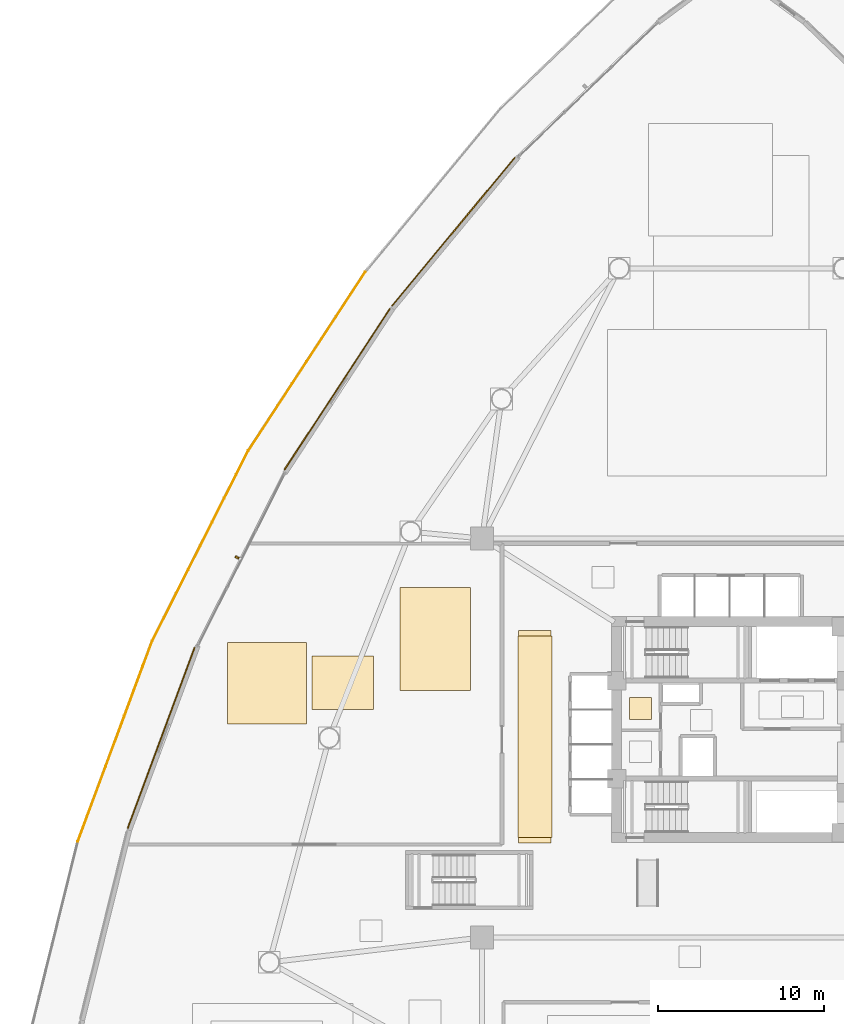
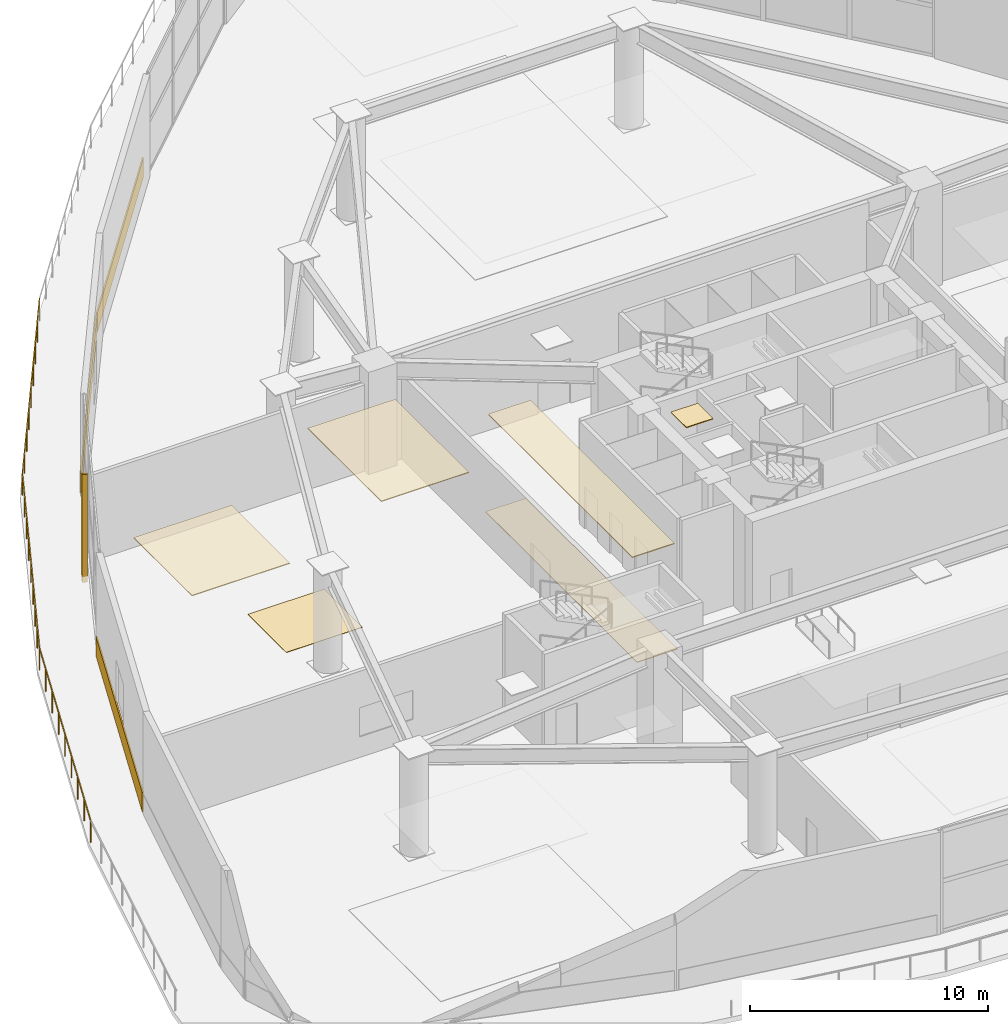
# One storey, part 21 of 26: 9 coverings, 3 railings, 1 shading device.
"""IFC4 building model written with IfcOpenShell, lengths in metres."""

from ifc_helpers import new_model, si_unit, direction, frame, origin, origin_2d, place, context, subcontext, project, spatial, polyline, rectangle, outline, extrude, source, transform, mapped, material, layer, layer_set, type_object, type_shapes, element, save


model = new_model("IFC4")

# Units and contexts
model_context = context("Model", 3, precision=1e-05, world=origin(), true_north=direction((0.0, 1.0)))
body_context = subcontext(model_context, "Body", "Model", "MODEL_VIEW")
ifc_project = project(units=[si_unit("LENGTHUNIT", "METRE"), si_unit("AREAUNIT", "SQUARE_METRE"), si_unit("VOLUMEUNIT", "CUBIC_METRE"), si_unit("PLANEANGLEUNIT", "RADIAN"), si_unit("MASSUNIT", "GRAM", prefix="KILO")], contexts=[model_context])

# Site, building, storey
site_placement = place(None, origin())
site = spatial("IfcSite", under=ifc_project, at=site_placement, CompositionType="ELEMENT")
building_placement = place(site_placement, origin())
building = spatial("IfcBuilding", under=site, at=building_placement, Name="Tavelor Broadcast Tower", CompositionType="ELEMENT")
storey_placement = place(building_placement, frame((0.0, 0.0, 5.800048828125)))
storey = spatial("IfcBuildingStorey", under=building, at=storey_placement, Name="L01", CompositionType="ELEMENT", Elevation=5.800048828125)

# Coverings
ifc_material_1 = material(Name="Copper-Bronze Anodized Aluminium", Category="aluminium")
ifc_layer_1 = layer(ifc_material_1, 0.044921875)
ifc_layer_set_1 = layer_set([ifc_layer_1], Name="Copper-Bronze Anodized Aluminium")
covering_type_1 = type_object("IfcCoveringType", Name="Anodised Bronze Linear Slatted Concourse Ceiling 45 mm", PredefinedType="CEILING", material=ifc_layer_set_1)
covering_1_placement = place(storey_placement, frame((0.0, 0.0, 5.204833984375)))
element("IfcCovering", 1, at=covering_1_placement, inside=storey, type_object=covering_type_1, Name="L01 Suspended Acoustic Ceiling 0034", PredefinedType="CEILING", context=body_context, shape_type="SweptSolid", body=[
    extrude(outline(polyline([(37.1484375, 38.51025390625), (39.201416015625, 38.51025390625), (39.201416015625, 50.639892578125), (37.1484375, 50.639892578125), (37.1484375, 38.51025390625)])), origin(), (0.0, 0.0, 1.0), 0.045166015625),
])
ifc_material_2 = material(Name="Acoustic Nylon Carpet Tile")
ifc_layer_2 = layer(ifc_material_2, 0.02001953125)
ifc_layer_set_2 = layer_set([ifc_layer_2], Name="Acoustic Nylon Carpet Tile")
covering_type_2 = type_object("IfcCoveringType", Name="Heavy-Duty Acoustic Broadcast Carpet Tile 20 mm", PredefinedType="FLOORING", material=ifc_layer_set_2)
covering_2_placement = place(storey_placement, origin())
element("IfcCovering", 2, at=covering_2_placement, inside=storey, type_object=covering_type_2, Name="L01 Broadcast Floor Finish 0019", PredefinedType="FLOORING", context=body_context, shape_type="SweptSolid", body=[
    extrude(outline(polyline([(24.770751953125, 46.20947265625), (28.479736328125, 46.20947265625), (28.479736328125, 49.43896484375), (24.770751953125, 49.43896484375), (24.770751953125, 46.20947265625)])), origin(), (0.0, 0.0, 1.0), 0.02001953125),
])
ifc_material_3 = material(Name="Honed Natural Limestone Tile", Category="masonry")
ifc_layer_3 = layer(ifc_material_3, 0.030029296875)
ifc_layer_set_3 = layer_set([ifc_layer_3], Name="Honed Natural Limestone Tile")
covering_type_3 = type_object("IfcCoveringType", Name="Honed Jerusalem Limestone Concourse Flooring 30 mm", PredefinedType="FLOORING", material=ifc_layer_set_3)
covering_3_placement = place(storey_placement, origin())
element("IfcCovering", 3, at=covering_3_placement, inside=storey, type_object=covering_type_3, Name="L01 Broadcast Floor Finish 0014", PredefinedType="FLOORING", context=body_context, shape_type="SweptSolid", body=[
    extrude(outline(polyline([(37.193359375, 38.189208984375), (39.15673828125, 38.189208984375), (39.15673828125, 50.960693359375), (37.193359375, 50.960693359375), (37.193359375, 38.189208984375)])), origin(), (0.0, 0.0, 1.0), 0.030029296875),
])

# Railings
ifc_material_4 = material(Name="Steel S355", Category="steel")
railing_type = type_object("IfcRailingType", Name="Planted Terrace Laminated Glass Balustrade 1150 mm", PredefinedType="BALUSTRADE", material=ifc_material_4)
railing_1_placement = place(storey_placement, frame((27.9716796875, 72.53125, 0.0)))
element("IfcRailing", 4, at=railing_1_placement, inside=storey, type_object=railing_type, Name="L01 Cascading Garden Terrace 1 Balustrade #10", PredefinedType="BALUSTRADE", context=body_context, shape_type="SweptSolid", body=[
    extrude(rectangle(XDim=0.048095703125, YDim=0.048095703125, at=origin_2d()), frame((0.0, 0.0, 1.1259765625), z_axis=(-0.547791163863, -0.836615109112, 0.0), x_axis=(0.836615109112, -0.547791163863, 0.0)), (0.0, 0.0, 1.0), 12.854248046875),
    extrude(rectangle(XDim=0.0419921875, YDim=0.0419921875, at=origin_2d()), origin(), (0.0, 0.0, 1.0), 1.101806640625),
    extrude(rectangle(XDim=0.0419921875, YDim=0.0419921875, at=origin_2d()), frame((-0.880126953125, -1.34423828125, 0.0)), (0.0, 0.0, 1.0), 1.101806640625),
    extrude(rectangle(XDim=0.0419921875, YDim=0.0419921875, at=origin_2d()), frame((-1.76025390625, -2.6884765625, 0.0)), (0.0, 0.0, 1.0), 1.101806640625),
    extrude(rectangle(XDim=0.0419921875, YDim=0.0419921875, at=origin_2d()), frame((-2.640625, -4.03271484375, 0.0)), (0.0, 0.0, 1.0), 1.101806640625),
    extrude(rectangle(XDim=0.0419921875, YDim=0.0419921875, at=origin_2d()), frame((-3.520751953125, -5.376953125, 0.0)), (0.0, 0.0, 1.0), 1.101806640625),
    extrude(rectangle(XDim=0.0419921875, YDim=0.0419921875, at=origin_2d()), frame((-4.40087890625, -6.721435546875, 0.0)), (0.0, 0.0, 1.0), 1.101806640625),
    extrude(rectangle(XDim=0.0419921875, YDim=0.0419921875, at=origin_2d()), frame((-5.28125, -8.065673828125, 0.0)), (0.0, 0.0, 1.0), 1.101806640625),
    extrude(rectangle(XDim=0.0419921875, YDim=0.0419921875, at=origin_2d()), frame((-6.161376953125, -9.409912109375, 0.0)), (0.0, 0.0, 1.0), 1.101806640625),
    extrude(rectangle(XDim=0.0419921875, YDim=0.0419921875, at=origin_2d()), frame((-7.04150390625, -10.754150390625, 0.0)), (0.0, 0.0, 1.0), 1.101806640625),
])
railing_2_placement = place(storey_placement, frame((20.935791015625, 61.78662109375, 0.0)))
element("IfcRailing", 5, at=railing_2_placement, inside=storey, type_object=railing_type, Name="L01 Cascading Garden Terrace 1 Balustrade #11", PredefinedType="BALUSTRADE", context=body_context, shape_type="SweptSolid", body=[
    extrude(rectangle(XDim=0.048095703125, YDim=0.048095703125, at=origin_2d()), frame((0.0, 0.0, 1.1259765625), z_axis=(-0.45062143699, -0.89271513963, 0.0), x_axis=(0.89271513963, -0.45062143699, 0.0)), (0.0, 0.0, 1.0), 12.8544921875),
    extrude(rectangle(XDim=0.0419921875, YDim=0.0419921875, at=origin_2d()), origin(), (0.0, 0.0, 1.0), 1.101806640625),
    extrude(rectangle(XDim=0.0419921875, YDim=0.0419921875, at=origin_2d()), frame((-0.72412109375, -1.434326171875, 0.0)), (0.0, 0.0, 1.0), 1.101806640625),
    extrude(rectangle(XDim=0.0419921875, YDim=0.0419921875, at=origin_2d()), frame((-1.4482421875, -2.868896484375, 0.0)), (0.0, 0.0, 1.0), 1.101806640625),
    extrude(rectangle(XDim=0.0419921875, YDim=0.0419921875, at=origin_2d()), frame((-2.172119140625, -4.30322265625, 0.0)), (0.0, 0.0, 1.0), 1.101806640625),
    extrude(rectangle(XDim=0.0419921875, YDim=0.0419921875, at=origin_2d()), frame((-2.896240234375, -5.73779296875, 0.0)), (0.0, 0.0, 1.0), 1.101806640625),
    extrude(rectangle(XDim=0.0419921875, YDim=0.0419921875, at=origin_2d()), frame((-3.620361328125, -7.172119140625, 0.0)), (0.0, 0.0, 1.0), 1.101806640625),
    extrude(rectangle(XDim=0.0419921875, YDim=0.0419921875, at=origin_2d()), frame((-4.34423828125, -8.6064453125, 0.0)), (0.0, 0.0, 1.0), 1.101806640625),
    extrude(rectangle(XDim=0.0419921875, YDim=0.0419921875, at=origin_2d()), frame((-5.068359375, -10.041015625, 0.0)), (0.0, 0.0, 1.0), 1.101806640625),
    extrude(rectangle(XDim=0.0419921875, YDim=0.0419921875, at=origin_2d()), frame((-5.79248046875, -11.475341796875, 0.0)), (0.0, 0.0, 1.0), 1.101806640625),
])
railing_3_placement = place(storey_placement, frame((15.147705078125, 50.32177734375, 0.0)))
element("IfcRailing", 6, at=railing_3_placement, inside=storey, type_object=railing_type, Name="L01 Cascading Garden Terrace 1 Balustrade #12", PredefinedType="BALUSTRADE", context=body_context, shape_type="SweptSolid", body=[
    extrude(rectangle(XDim=0.048095703125, YDim=0.048095703125, at=origin_2d()), frame((0.0, 0.0, 1.1259765625), z_axis=(-0.347793089854, -0.937571312834, 0.0), x_axis=(0.937571312834, -0.347793089854, 0.0)), (0.0, 0.0, 1.0), 12.8544921875),
    extrude(rectangle(XDim=0.0419921875, YDim=0.0419921875, at=origin_2d()), origin(), (0.0, 0.0, 1.0), 1.101806640625),
    extrude(rectangle(XDim=0.0419921875, YDim=0.0419921875, at=origin_2d()), frame((-0.558837890625, -1.506591796875, 0.0)), (0.0, 0.0, 1.0), 1.101806640625),
    extrude(rectangle(XDim=0.0419921875, YDim=0.0419921875, at=origin_2d()), frame((-1.11767578125, -3.012939453125, 0.0)), (0.0, 0.0, 1.0), 1.101806640625),
    extrude(rectangle(XDim=0.0419921875, YDim=0.0419921875, at=origin_2d()), frame((-1.676513671875, -4.51953125, 0.0)), (0.0, 0.0, 1.0), 1.101806640625),
    extrude(rectangle(XDim=0.0419921875, YDim=0.0419921875, at=origin_2d()), frame((-2.2353515625, -6.02587890625, 0.0)), (0.0, 0.0, 1.0), 1.101806640625),
    extrude(rectangle(XDim=0.0419921875, YDim=0.0419921875, at=origin_2d()), frame((-2.794189453125, -7.532470703125, 0.0)), (0.0, 0.0, 1.0), 1.101806640625),
    extrude(rectangle(XDim=0.0419921875, YDim=0.0419921875, at=origin_2d()), frame((-3.35302734375, -9.0390625, 0.0)), (0.0, 0.0, 1.0), 1.101806640625),
    extrude(rectangle(XDim=0.0419921875, YDim=0.0419921875, at=origin_2d()), frame((-3.911865234375, -10.54541015625, 0.0)), (0.0, 0.0, 1.0), 1.101806640625),
    extrude(rectangle(XDim=0.0419921875, YDim=0.0419921875, at=origin_2d()), frame((-4.470703125, -12.052001953125, 0.0)), (0.0, 0.0, 1.0), 1.101806640625),
])

# Coverings
ifc_material_5 = material(Name="Kiln-Fired Glazed Terracotta", Category="masonry")
ifc_layer_4 = layer(ifc_material_5, 0.06494140625)
ifc_layer_set_4 = layer_set([ifc_layer_4], Name="Kiln-Fired Glazed Terracotta")
covering_type_4 = type_object("IfcCoveringType", Name="Ribbed Terracotta Rainscreen Spandrel Cladding 65 mm", PredefinedType="CLADDING", material=ifc_layer_set_4)
covering_4_placement = place(storey_placement, frame((33.279052734375, 74.96337890625, 0.050048828125), z_axis=(0.0, 0.0, 1.0), x_axis=(-0.638096146601, -0.769956692089, 0.0)))
element("IfcCovering", 7, at=covering_4_placement, inside=storey, type_object=covering_type_4, Name="L01 Terracotta Spandrel Rainscreen 06", PredefinedType="CLADDING", context=body_context, shape_type="SweptSolid", body=[
    extrude(rectangle(XDim=11.59375, YDim=0.06494140625, at=origin_2d()), origin(), (0.0, 0.0, 1.0), 1.0),
])
covering_5_placement = place(storey_placement, frame((26.2861328125, 65.489501953125, 0.050048828125), z_axis=(0.0, 0.0, 1.0), x_axis=(-0.547855275974, -0.836573126862, 0.0)))
element("IfcCovering", 8, at=covering_5_placement, inside=storey, type_object=covering_type_4, Name="L01 Terracotta Spandrel Rainscreen 07", PredefinedType="CLADDING", context=body_context, shape_type="SweptSolid", body=[
    extrude(rectangle(XDim=11.593994140625, YDim=0.06494140625, at=origin_2d()), origin(), (0.0, 0.0, 1.0), 1.0),
])
covering_6_placement = place(storey_placement, frame((15.690185546875, 44.4990234375, 0.050048828125), z_axis=(0.0, 0.0, 1.0), x_axis=(-0.347753981862, -0.937585819058, 0.0)))
element("IfcCovering", 9, at=covering_6_placement, inside=storey, type_object=covering_type_4, Name="L01 Terracotta Spandrel Rainscreen 09", PredefinedType="CLADDING", context=body_context, shape_type="SweptSolid", body=[
    extrude(rectangle(XDim=11.59375, YDim=0.06494140625, at=origin_2d()), origin(), (0.0, 0.0, 1.0), 1.0),
])
ifc_material_6 = material(Name="Acoustic Mineral Fibre Tile")
ifc_layer_5 = layer(ifc_material_6, 0.0400390625)
ifc_layer_set_5 = layer_set([ifc_layer_5], Name="Acoustic Mineral Fibre Tile")
covering_type_5 = type_object("IfcCoveringType", Name="Suspended Acoustic Mineral-Fibre Office Ceiling 40 mm", PredefinedType="CEILING", material=ifc_layer_set_5)
covering_7_placement = place(storey_placement, frame((0.0, 0.0, 5.2099609375)))
element("IfcCovering", 10, at=covering_7_placement, inside=storey, type_object=covering_type_5, Name="L01 Suspended Acoustic Ceiling 0033", PredefinedType="CEILING", context=body_context, shape_type="SweptSolid", body=[
    extrude(outline(polyline([(43.8798828125, 45.62353515625), (45.179931640625, 45.62353515625), (45.179931640625, 46.923583984375), (43.8798828125, 46.923583984375), (43.8798828125, 45.62353515625)])), origin(), (0.0, 0.0, 1.0), 0.0400390625),
])
covering_8_placement = place(storey_placement, frame((0.0, 0.0, 5.2099609375)))
element("IfcCovering", 11, at=covering_8_placement, inside=storey, type_object=covering_type_5, Name="L01 Suspended Acoustic Ceiling 0048", PredefinedType="CEILING", context=body_context, shape_type="SweptSolid", body=[
    extrude(outline(polyline([(19.68701171875, 45.3466796875), (24.448486328125, 45.3466796875), (24.448486328125, 50.25341796875), (19.68701171875, 50.25341796875), (19.68701171875, 45.3466796875)])), origin(), (0.0, 0.0, 1.0), 0.0400390625),
])
covering_9_placement = place(storey_placement, frame((0.0, 0.0, 5.2099609375)))
element("IfcCovering", 12, at=covering_9_placement, inside=storey, type_object=covering_type_5, Name="L01 Suspended Acoustic Ceiling 0049", PredefinedType="CEILING", context=body_context, shape_type="SweptSolid", body=[
    extrude(outline(polyline([(30.04736328125, 47.35498046875), (34.305419921875, 47.35498046875), (34.305419921875, 53.5458984375), (30.04736328125, 53.5458984375), (30.04736328125, 47.35498046875)])), origin(), (0.0, 0.0, 1.0), 0.0400390625),
])

# Shading device
shading_device_type = type_object("IfcShadingDeviceType", Name="Extruded Terracotta Baguette Sun-Screen 110x240", PredefinedType="JALOUSIE", material=ifc_material_5)
shared_shape = source(origin(), body_context, "Body", "SweptSolid", [
    extrude(rectangle(XDim=0.110107421875, YDim=0.239990234375, at=origin_2d()), origin(), (0.0, 0.0, 1.0), 5.5400390625),
])
type_shapes(shading_device_type, [shared_shape])
shading_device_placement = place(storey_placement, frame((20.255615234375, 55.364013671875, -0.31005859375), z_axis=(0.0, 0.0, 1.0), x_axis=(-0.450565941999, -0.892743150022, 0.0)))
element("IfcShadingDevice", 13, at=shading_device_placement, inside=storey, type_object=shading_device_type, Name="L01 Terracotta Baguette Fin 2", PredefinedType="JALOUSIE", context=body_context, shape_type="MappedRepresentation", body=[
    mapped(shared_shape, transform((0.0, 0.0, 0.0), scale=1.0)),
])

save(model, "model.ifc")
